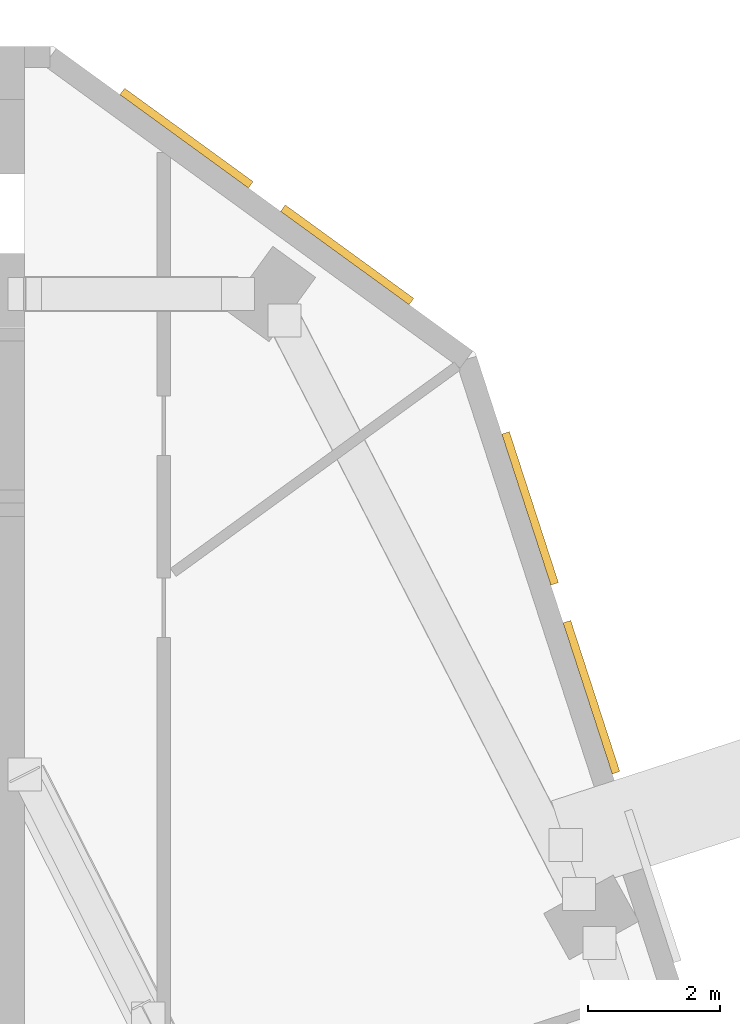
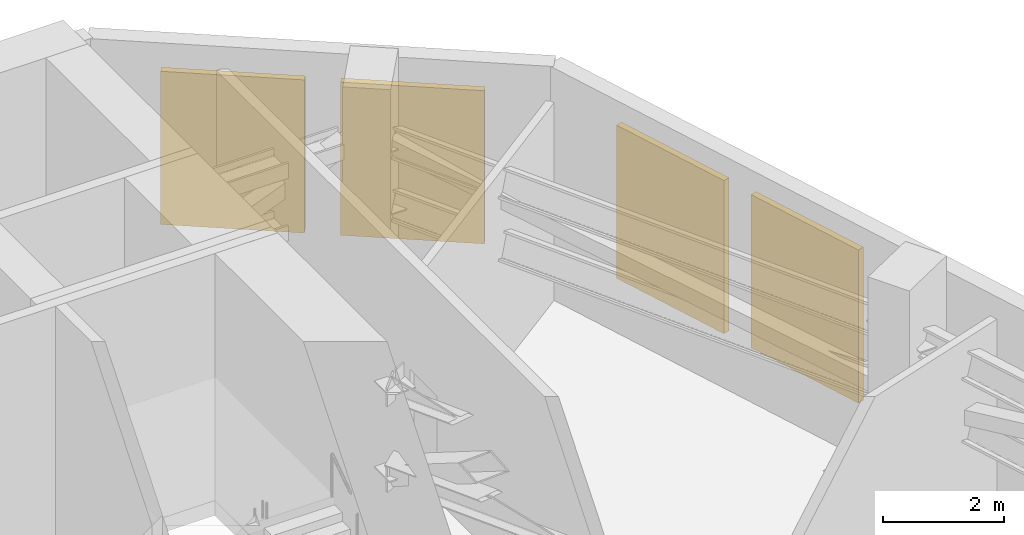
# One storey, part 16 of 16: 4 shading devices.
"""IFC4 building model written with IfcOpenShell, lengths in metres."""

from ifc_helpers import new_model, si_unit, direction, frame, origin, origin_2d, place, context, subcontext, project, spatial, rectangle, extrude, material, type_object, element, save


model = new_model("IFC4")

# Units and contexts
model_context = context("Model", 3, precision=1e-05, world=origin(), true_north=direction((0.0, 1.0)))
body_context = subcontext(model_context, "Body", "Model", "MODEL_VIEW")
ifc_project = project(units=[si_unit("LENGTHUNIT", "METRE"), si_unit("AREAUNIT", "SQUARE_METRE"), si_unit("VOLUMEUNIT", "CUBIC_METRE"), si_unit("PLANEANGLEUNIT", "RADIAN"), si_unit("MASSUNIT", "GRAM", prefix="KILO")], contexts=[model_context])

# Site, building, storey
site_placement = place(None, origin())
site = spatial("IfcSite", under=ifc_project, at=site_placement, CompositionType="ELEMENT")
building_placement = place(site_placement, origin())
building = spatial("IfcBuilding", under=site, at=building_placement, Name="White Candle Pilgrim Tower", CompositionType="ELEMENT")
storey_placement = place(building_placement, frame((0.0, 0.0, 243.300048828125)))
storey = spatial("IfcBuildingStorey", under=building, at=storey_placement, Name="L57", CompositionType="ELEMENT", Elevation=243.300048828125)

# Shading devices
ifc_material = material(Name="Aluminium", Category="aluminium")
shading_device_type = type_object("IfcShadingDeviceType", Name="Plant louvre LV2 2400x3100 aluminium framed", PredefinedType="USERDEFINED", material=ifc_material)
for number, where, z_axis, x_axis, name in (
    (1, (89.563720703125, 78.16748046875, 0.7998046875), (0.0, 0.0, 1.0), (-0.309016977212, 0.951056521872, 0.0), "Plant louvre L57 ENE 5"),
    (2, (88.636474609375, 81.020751953125, 0.7998046875), (0.0, 0.0, 1.0), (-0.309016977212, 0.951056521872, 0.0), "Plant louvre L57 ENE 6"),
    (3, (85.87255859375, 84.8515625, 0.7998046875), (0.0, 0.0, 1.0), (-0.809016997309, 0.587785248254, 0.0), "Plant louvre L57 NE chamfer 1"),
    (4, (83.4453125, 86.614990234375, 0.7998046875), (0.0, 0.0, 1.0), (-0.809016997309, 0.587785248254, 0.0), "Plant louvre L57 NE chamfer 2"),
):
    element("IfcShadingDevice", number, at=place(storey_placement, frame(where, z_axis=z_axis, x_axis=x_axis)), inside=storey, type_object=shading_device_type, Name=name, ObjectType="LOUVRE", PredefinedType="USERDEFINED", context=body_context, shape_type="SweptSolid", body=[
        extrude(rectangle(XDim=2.39990234375, YDim=0.1201171875, at=origin_2d()), origin(), (0.0, 0.0, 1.0), 3.10009765625),
    ])

save(model, "model.ifc")
